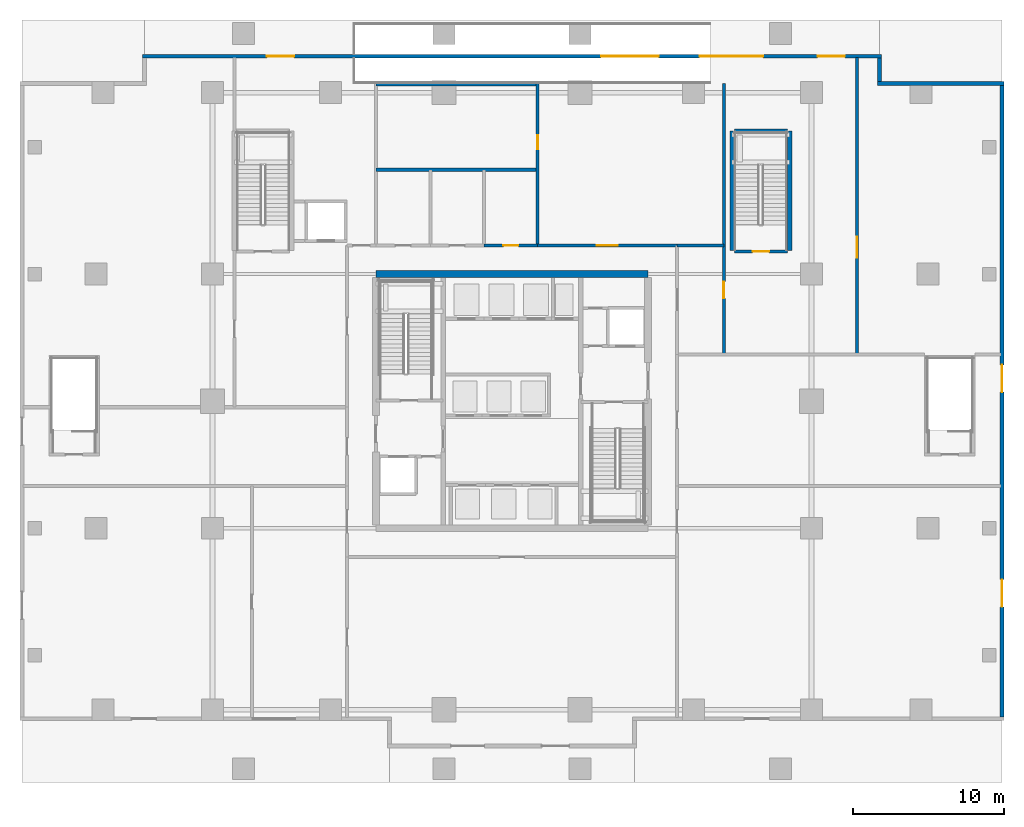
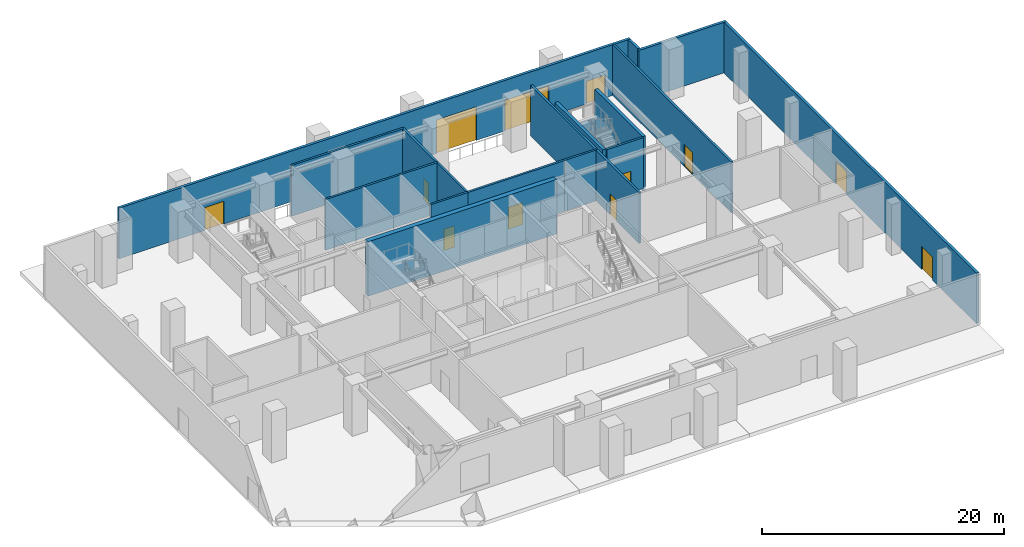
# One storey, part 6 of 15: 17 walls, 12 doors, 12 openings.
"""IFC4 building model written with IfcOpenShell, lengths in metres."""

from ifc_helpers import new_model, si_unit, direction, frame, frame_2d, origin, place, context, subcontext, project, spatial, rectangle, extrude, source, transform, mapped, material, layer, layer_set, type_object, element, fill, save


model = new_model("IFC4")

# Units and contexts
model_context = context("Model", 3, precision=1e-05, world=origin(), true_north=direction((0.0, 1.0)))
body_context = subcontext(model_context, "Body", "Model", "MODEL_VIEW")
ifc_project = project(units=[si_unit("LENGTHUNIT", "METRE"), si_unit("AREAUNIT", "SQUARE_METRE"), si_unit("VOLUMEUNIT", "CUBIC_METRE"), si_unit("PLANEANGLEUNIT", "RADIAN"), si_unit("MASSUNIT", "GRAM", prefix="KILO")], contexts=[model_context])

# Site, building, storey
site_placement = place(None, origin())
site = spatial("IfcSite", under=ifc_project, at=site_placement, CompositionType="ELEMENT")
building_placement = place(site_placement, origin())
building = spatial("IfcBuilding", under=site, at=building_placement, Name="Serunith Strait Residences", CompositionType="ELEMENT")
storey_placement = place(building_placement, origin())
storey = spatial("IfcBuildingStorey", under=building, at=storey_placement, Name="L00", CompositionType="ELEMENT", Elevation=0.0)

# Wall, openings, doors
ifc_material_1 = material(Name="Pale-Silver Aluminium Terracotta-Backed Wall", Category="masonry")
ifc_layer_1 = layer(ifc_material_1, 0.25, Name="Pale-Silver Aluminium Terracotta-Backed Wall")
ifc_layer_set_1 = layer_set([ifc_layer_1], Name="Pale-Silver Aluminium Terracotta-Backed Wall")
wall_type_1 = type_object("IfcWallType", Name="EW-POD-250", PredefinedType="ELEMENTEDWALL", material=ifc_layer_set_1)
wall_1_placement = place(storey_placement, frame((64.800048828125, 4.324951171875, 0.0), z_axis=(0.0, 0.0, 1.0), x_axis=(0.0, 1.0, 0.0)))
wall_1 = element("IfcWall", 1, at=wall_1_placement, inside=storey, type_object=wall_type_1, Name="L00 Podium Envelope Wall 6", PredefinedType="ELEMENTEDWALL", context=body_context, shape_type="SweptSolid", body=[
    extrude(rectangle(XDim=41.75, YDim=0.25, at=frame_2d((20.875, 0.0))), origin(), (0.0, 0.0, 1.0), 5.10498046875),
])
opening_1_placement = place(wall_1_placement, frame((21.47509765625, 0.0, 0.0)))
opening_1 = element("IfcOpeningElement", 2, at=opening_1_placement, cuts=wall_1, Name="Opening EX-02", PredefinedType="OPENING", context=body_context, shape_type="SweptSolid", body=[
    extrude(rectangle(XDim=1.800048828125, YDim=2.300048828125, at=frame_2d((0.89990234375, 1.14990234375))), frame((0.0, 0.135009765625, 0.0), z_axis=(0.0, -1.0, 0.0), x_axis=(1.0, 0.0, 0.0)), (0.0, 0.0, 1.0), 0.27001953125),
])
opening_2_placement = place(wall_1_placement, frame((7.27490234375, 0.0, 0.0)))
opening_2 = element("IfcOpeningElement", 3, at=opening_2_placement, cuts=wall_1, Name="Opening EX-04", PredefinedType="OPENING", context=body_context, shape_type="SweptSolid", body=[
    extrude(rectangle(XDim=1.800048828125, YDim=2.300048828125, at=frame_2d((0.89990234375, 1.14990234375))), frame((0.0, 0.135009765625, 0.0), z_axis=(0.0, -1.0, 0.0), x_axis=(1.0, 0.0, 0.0)), (0.0, 0.0, 1.0), 0.27001953125),
])
ifc_material_2 = material(Name="Stainless Steel Glazed Exit Door", Category="steel")
door_type_1 = type_object("IfcDoorType", Name="ED-EXIT-1800", OperationType="NOTDEFINED", PredefinedType="DOOR", material=ifc_material_2)
shared_shape_1 = source(origin(), body_context, "Body", "SweptSolid", [
    extrude(rectangle(XDim=1.800048828125, YDim=2.300048828125, at=frame_2d((0.89990234375, 1.14990234375))), frame((0.0, 0.02490234375, 0.0), z_axis=(0.0, -1.0, 0.0), x_axis=(1.0, 0.0, 0.0)), (0.0, 0.0, 1.0), 0.050048828125),
])
door_1_placement = place(opening_1_placement, frame((1.800048828125, 0.0, 0.0), z_axis=(0.0, 0.0, 1.0), x_axis=(-1.0, 0.0, 0.0)))
door_1 = element("IfcDoor", 4, at=door_1_placement, inside=storey, type_object=door_type_1, Name="Ground Final Exit Door EX-02 (Exit Passage 2)", OperationType="DOUBLE_DOOR_SINGLE_SWING", OverallHeight=2.300048828125, OverallWidth=1.800048828125, PredefinedType="DOOR", context=body_context, shape_type="MappedRepresentation", body=[
    mapped(shared_shape_1, transform((0.0, 0.0, 0.0), scale=1.0)),
])
fill(opening_1, door_1)
door_2_placement = place(opening_2_placement, frame((1.800048828125, 0.0, 0.0), z_axis=(0.0, 0.0, 1.0), x_axis=(-1.0, 0.0, 0.0)))
door_2 = element("IfcDoor", 5, at=door_2_placement, inside=storey, type_object=door_type_1, Name="Ground Final Exit Door EX-04", OperationType="DOUBLE_DOOR_SINGLE_SWING", OverallHeight=2.300048828125, OverallWidth=1.800048828125, PredefinedType="DOOR", context=body_context, shape_type="MappedRepresentation", body=[
    mapped(shared_shape_1, transform((0.0, 0.0, 0.0), scale=1.0)),
])
fill(opening_2, door_2)

# Walls
wall_2_placement = place(storey_placement, frame((64.925048828125, 46.199951171875, 0.0), z_axis=(0.0, 0.0, 1.0), x_axis=(-1.0, 0.0, 0.0)))
element("IfcWall", 6, at=wall_2_placement, inside=storey, type_object=wall_type_1, Name="L00 Podium Envelope Wall 7", PredefinedType="ELEMENTEDWALL", context=body_context, shape_type="SweptSolid", body=[
    extrude(rectangle(XDim=8.35009765625, YDim=0.25, at=frame_2d((4.175048828125, 0.0))), origin(), (0.0, 0.0, 1.0), 5.10498046875),
])
wall_3_placement = place(storey_placement, frame((56.699951171875, 46.324951171875, 0.0), z_axis=(0.0, 0.0, 1.0), x_axis=(0.0, 1.0, 0.0)))
element("IfcWall", 7, at=wall_3_placement, inside=storey, type_object=wall_type_1, Name="L00 Podium Envelope Wall 8", PredefinedType="ELEMENTEDWALL", context=body_context, shape_type="SweptSolid", body=[
    extrude(rectangle(XDim=1.550048828125, YDim=0.25, at=frame_2d((0.77490234375, 0.0))), origin(), (0.0, 0.0, 1.0), 5.10498046875),
])

# Wall, openings, doors
wall_4_placement = place(storey_placement, frame((56.824951171875, 48.0, 0.0), z_axis=(0.0, 0.0, 1.0), x_axis=(-1.0, 0.0, 0.0)))
wall_4 = element("IfcWall", 8, at=wall_4_placement, inside=storey, type_object=wall_type_1, Name="L00 Podium Envelope Wall 9", PredefinedType="ELEMENTEDWALL", context=body_context, shape_type="SweptSolid", body=[
    extrude(rectangle(XDim=48.849853515625, YDim=0.25, at=frame_2d((24.4248046875, 0.0))), origin(), (0.0, 0.0, 1.0), 5.10498046875),
])
opening_3_placement = place(wall_4_placement, frame((7.824951171875, 0.0, 0.0)))
opening_3 = element("IfcOpeningElement", 9, at=opening_3_placement, cuts=wall_4, Name="Opening VG-01", PredefinedType="OPENING", context=body_context, shape_type="SweptSolid", body=[
    extrude(rectangle(XDim=4.199951171875, YDim=3.10009765625, at=frame_2d((2.10009765625, 1.550048828125))), frame((0.0, 0.135009765625, 0.0), z_axis=(0.0, -1.0, 0.0), x_axis=(1.0, 0.0, 0.0)), (0.0, 0.0, 1.0), 0.27001953125),
])
opening_4_placement = place(wall_4_placement, frame((14.72509765625, 0.0, 0.0)))
opening_4 = element("IfcOpeningElement", 10, at=opening_4_placement, cuts=wall_4, Name="Opening LG-01", PredefinedType="OPENING", context=body_context, shape_type="SweptSolid", body=[
    extrude(rectangle(XDim=3.800048828125, YDim=3.39990234375, at=frame_2d((1.89990234375, 1.699951171875))), frame((0.0, 0.135009765625, 0.0), z_axis=(0.0, -1.0, 0.0), x_axis=(1.0, 0.0, 0.0)), (0.0, 0.0, 1.0), 0.27001953125),
])
opening_5_placement = place(wall_4_placement, frame((38.824951171875, 0.0, 0.0)))
opening_5 = element("IfcOpeningElement", 11, at=opening_5_placement, cuts=wall_4, Name="Opening EX-06", PredefinedType="OPENING", context=body_context, shape_type="SweptSolid", body=[
    extrude(rectangle(XDim=1.800048828125, YDim=2.300048828125, at=frame_2d((0.89990234375, 1.14990234375))), frame((0.0, 0.135009765625, 0.0), z_axis=(0.0, -1.0, 0.0), x_axis=(1.0, 0.0, 0.0)), (0.0, 0.0, 1.0), 0.27001953125),
])
opening_6_placement = place(wall_4_placement, frame((2.425048828125, 0.0, 0.0)))
opening_6 = element("IfcOpeningElement", 12, at=opening_6_placement, cuts=wall_4, Name="Opening EX-07", PredefinedType="OPENING", context=body_context, shape_type="SweptSolid", body=[
    extrude(rectangle(XDim=1.800048828125, YDim=2.300048828125, at=frame_2d((0.89990234375, 1.14990234375))), frame((0.0, 0.135009765625, 0.0), z_axis=(0.0, -1.0, 0.0), x_axis=(1.0, 0.0, 0.0)), (0.0, 0.0, 1.0), 0.27001953125),
])
door_3_placement = place(opening_5_placement, frame((1.800048828125, 0.0, 0.0), z_axis=(0.0, 0.0, 1.0), x_axis=(-1.0, 0.0, 0.0)))
door_3 = element("IfcDoor", 13, at=door_3_placement, inside=storey, type_object=door_type_1, Name="Ground Final Exit Door EX-06 (Exit Passage 3)", OperationType="DOUBLE_DOOR_SINGLE_SWING", OverallHeight=2.300048828125, OverallWidth=1.800048828125, PredefinedType="DOOR", context=body_context, shape_type="MappedRepresentation", body=[
    mapped(shared_shape_1, transform((0.0, 0.0, 0.0), scale=1.0)),
])
fill(opening_5, door_3)
door_4_placement = place(opening_6_placement, frame((1.800048828125, 0.0, 0.0), z_axis=(0.0, 0.0, 1.0), x_axis=(-1.0, 0.0, 0.0)))
door_4 = element("IfcDoor", 14, at=door_4_placement, inside=storey, type_object=door_type_1, Name="Ground Final Exit Door EX-07 (Exit Passage 4)", OperationType="DOUBLE_DOOR_SINGLE_SWING", OverallHeight=2.300048828125, OverallWidth=1.800048828125, PredefinedType="DOOR", context=body_context, shape_type="MappedRepresentation", body=[
    mapped(shared_shape_1, transform((0.0, 0.0, 0.0), scale=1.0)),
])
fill(opening_6, door_4)
ifc_material_3 = material(Name="Perforated Anodised Aluminium Roller Shutter", Category="aluminium")
door_type_2 = type_object("IfcDoorType", Name="GATE-RAMP-4200", OperationType="ROLLINGUP", PredefinedType="GATE", material=ifc_material_3)
shared_shape_2 = source(origin(), body_context, "Body", "SweptSolid", [
    extrude(rectangle(XDim=4.199951171875, YDim=3.10009765625, at=frame_2d((2.10009765625, 1.550048828125))), frame((0.0, 0.02490234375, 0.0), z_axis=(0.0, -1.0, 0.0), x_axis=(1.0, 0.0, 0.0)), (0.0, 0.0, 1.0), 0.050048828125),
])
door_5_placement = place(opening_3_placement, origin())
door_5 = element("IfcDoor", 15, at=door_5_placement, inside=storey, type_object=door_type_2, Name="Car Park Vehicle Ramp Exit Roller Shutter Gate VG-01", OperationType="ROLLINGUP", OverallHeight=3.10009765625, OverallWidth=4.199951171875, PredefinedType="GATE", context=body_context, shape_type="MappedRepresentation", body=[
    mapped(shared_shape_2, transform((0.0, 0.0, 0.0), scale=1.0)),
])
fill(opening_3, door_5)
ifc_material_4 = material(Name="Galvanised Steel Service Bay Roller Shutter", Category="steel")
door_type_3 = type_object("IfcDoorType", Name="GATE-LOAD-3800", OperationType="ROLLINGUP", PredefinedType="GATE", material=ifc_material_4)
shared_shape_3 = source(origin(), body_context, "Body", "SweptSolid", [
    extrude(rectangle(XDim=3.800048828125, YDim=3.39990234375, at=frame_2d((1.89990234375, 1.699951171875))), frame((0.0, 0.02490234375, 0.0), z_axis=(0.0, -1.0, 0.0), x_axis=(1.0, 0.0, 0.0)), (0.0, 0.0, 1.0), 0.050048828125),
])
door_6_placement = place(opening_4_placement, origin())
door_6 = element("IfcDoor", 16, at=door_6_placement, inside=storey, type_object=door_type_3, Name="Loading Dock Service Roller Shutter Gate LG-01", OperationType="ROLLINGUP", OverallHeight=3.39990234375, OverallWidth=3.800048828125, PredefinedType="GATE", context=body_context, shape_type="MappedRepresentation", body=[
    mapped(shared_shape_3, transform((0.0, 0.0, 0.0), scale=1.0)),
])
fill(opening_4, door_6)

# Wall
ifc_material_5 = material(Name="Reinforced masonry fire compartment wall", Category="masonry")
ifc_layer_2 = layer(ifc_material_5, 0.199951171875, Name="Reinforced masonry fire compartment wall")
ifc_layer_set_2 = layer_set([ifc_layer_2], Name="Reinforced masonry fire compartment wall")
wall_type_2 = type_object("IfcWallType", Name="IW-PASS-200", PredefinedType="STANDARD", material=ifc_layer_set_2)
wall_5_placement = place(storey_placement, frame((43.300048828125, 35.5, 0.0), z_axis=(0.0, 0.0, 1.0), x_axis=(1.0, 0.0, 0.0)))
element("IfcWall", 17, at=wall_5_placement, inside=storey, type_object=wall_type_2, Name="L00 Partition Wall 035", PredefinedType="STANDARD", context=body_context, shape_type="SweptSolid", body=[
    extrude(rectangle(XDim=3.099853515625, YDim=0.199951171875, at=frame_2d((1.5498046875, 0.0))), origin(), (0.0, 0.0, 1.0), 5.1201171875),
])

# Wall, opening, door
wall_6_placement = place(storey_placement, frame((46.39990234375, 28.300048828125, 0.0), z_axis=(0.0, 0.0, 1.0), x_axis=(0.0, 1.0, 0.0)))
wall_6 = element("IfcWall", 18, at=wall_6_placement, inside=storey, type_object=wall_type_2, Name="L00 Partition Wall 036", PredefinedType="STANDARD", context=body_context, shape_type="SweptSolid", body=[
    extrude(rectangle(XDim=17.89990234375, YDim=0.199951171875, at=frame_2d((8.949951171875, 0.0))), origin(), (0.0, 0.0, 1.0), 5.1201171875),
])
opening_7_placement = place(wall_6_placement, frame((3.696044921875, 0.0, 0.0)))
opening_7 = element("IfcOpeningElement", 19, at=opening_7_placement, cuts=wall_6, Name="Opening FD-1100", PredefinedType="OPENING", context=body_context, shape_type="SweptSolid", body=[
    extrude(rectangle(XDim=1.10009765625, YDim=2.14990234375, at=frame_2d((0.550048828125, 1.074951171875))), frame((0.0, 0.10986328125, 0.0), z_axis=(0.0, -1.0, 0.0), x_axis=(1.0, 0.0, 0.0)), (0.0, 0.0, 1.0), 0.219970703125),
])
ifc_material_6 = material(Name="Galvanised steel fire door leaf", Category="steel")
door_type_4 = type_object("IfcDoorType", Name="FD-STAIR-1100", OperationType="NOTDEFINED", PredefinedType="DOOR", material=ifc_material_6)
shared_shape_4 = source(origin(), body_context, "Body", "SweptSolid", [
    extrude(rectangle(XDim=1.10009765625, YDim=2.14990234375, at=frame_2d((0.550048828125, 1.074951171875))), frame((0.0, 0.02490234375, 0.0), z_axis=(0.0, -1.0, 0.0), x_axis=(1.0, 0.0, 0.0)), (0.0, 0.0, 1.0), 0.050048828125),
])
door_7_placement = place(opening_7_placement, origin())
door_7 = element("IfcDoor", 20, at=door_7_placement, inside=storey, type_object=door_type_4, Name="Exit Passage 4 Access Door", OperationType="SINGLE_SWING_LEFT", OverallHeight=2.14990234375, OverallWidth=1.10009765625, PredefinedType="DOOR", context=body_context, shape_type="MappedRepresentation", body=[
    mapped(shared_shape_4, transform((0.0, 0.0, 0.0), scale=1.0)),
])
fill(opening_7, door_7)

wall_7_placement = place(storey_placement, frame((55.199951171875, 28.300048828125, 0.0), z_axis=(0.0, 0.0, 1.0), x_axis=(0.0, 1.0, 0.0)))
wall_7 = element("IfcWall", 21, at=wall_7_placement, inside=storey, type_object=wall_type_2, Name="L00 Partition Wall 037", PredefinedType="STANDARD", context=body_context, shape_type="SweptSolid", body=[
    extrude(rectangle(XDim=19.617919921875, YDim=0.199951171875, at=frame_2d((9.80908203125, 0.0))), origin(), (0.0, 0.0, 1.0), 5.1201171875),
])
opening_8_placement = place(wall_7_placement, frame((6.3759765625, 0.0, 0.0)))
opening_8 = element("IfcOpeningElement", 22, at=opening_8_placement, cuts=wall_7, Name="Opening FD-1400", PredefinedType="OPENING", context=body_context, shape_type="SweptSolid", body=[
    extrude(rectangle(XDim=1.39990234375, YDim=2.199951171875, at=frame_2d((0.699951171875, 1.10009765625))), frame((0.0, 0.10986328125, 0.0), z_axis=(0.0, -1.0, 0.0), x_axis=(1.0, 0.0, 0.0)), (0.0, 0.0, 1.0), 0.219970703125),
])
ifc_material_7 = material(Name="Acoustic double-skin steel plant door", Category="steel")
door_type_5 = type_object("IfcDoorType", Name="FD-PLANT-1400", OperationType="DOUBLE_DOOR_SINGLE_SWING", PredefinedType="DOOR", material=ifc_material_7)
shared_shape_5 = source(origin(), body_context, "Body", "SweptSolid", [
    extrude(rectangle(XDim=1.39990234375, YDim=2.199951171875, at=frame_2d((0.699951171875, 1.10009765625))), frame((0.0, 0.02490234375, 0.0), z_axis=(0.0, -1.0, 0.0), x_axis=(1.0, 0.0, 0.0)), (0.0, 0.0, 1.0), 0.050048828125),
])
door_8_placement = place(opening_8_placement, origin())
door_8 = element("IfcDoor", 23, at=door_8_placement, inside=storey, type_object=door_type_5, Name="Substation Access Fire Door", OperationType="DOUBLE_DOOR_SINGLE_SWING", OverallHeight=2.199951171875, OverallWidth=1.39990234375, PredefinedType="DOOR", context=body_context, shape_type="MappedRepresentation", body=[
    mapped(shared_shape_5, transform((0.0, 0.0, 0.0), scale=1.0)),
])
fill(opening_8, door_8)

wall_8_placement = place(storey_placement, frame((30.552001953125, 35.5, 0.0), z_axis=(0.0, 0.0, 1.0), x_axis=(1.0, 0.0, 0.0)))
wall_8 = element("IfcWall", 24, at=wall_8_placement, inside=storey, type_object=wall_type_2, Name="L00 Partition Wall 040", PredefinedType="STANDARD", context=body_context, shape_type="SweptSolid", body=[
    extrude(rectangle(XDim=3.548095703125, YDim=0.199951171875, at=frame_2d((1.77392578125, 0.0))), origin(), (0.0, 0.0, 1.0), 5.1201171875),
])
opening_9_placement = place(wall_8_placement, frame((1.27392578125, 0.0, 0.0)))
opening_9 = element("IfcOpeningElement", 25, at=opening_9_placement, cuts=wall_8, Name="Opening D-APT1000", PredefinedType="OPENING", context=body_context, shape_type="SweptSolid", body=[
    extrude(rectangle(XDim=1.0, YDim=2.14990234375, at=frame_2d((0.5, 1.074951171875))), frame((0.0, 0.10986328125, 0.0), z_axis=(0.0, -1.0, 0.0), x_axis=(1.0, 0.0, 0.0)), (0.0, 0.0, 1.0), 0.219970703125),
])
ifc_material_8 = material(Name="Solid timber engineered fire door", Category="wood")
door_type_6 = type_object("IfcDoorType", Name="ID-APT-1000", OperationType="NOTDEFINED", PredefinedType="DOOR", material=ifc_material_8)
shared_shape_6 = source(origin(), body_context, "Body", "SweptSolid", [
    extrude(rectangle(XDim=1.0, YDim=2.14990234375, at=frame_2d((0.5, 1.074951171875))), frame((0.0, 0.02490234375, 0.0), z_axis=(0.0, -1.0, 0.0), x_axis=(1.0, 0.0, 0.0)), (0.0, 0.0, 1.0), 0.050048828125),
])
door_9_placement = place(opening_9_placement, origin())
door_9 = element("IfcDoor", 26, at=door_9_placement, inside=storey, type_object=door_type_6, Name="Ground Female WC Door", OperationType="SINGLE_SWING_LEFT", OverallHeight=2.14990234375, OverallWidth=1.0, PredefinedType="DOOR", context=body_context, shape_type="MappedRepresentation", body=[
    mapped(shared_shape_6, transform((0.0, 0.0, 0.0), scale=1.0)),
])
fill(opening_9, door_9)

wall_9_placement = place(storey_placement, frame((34.10205078125, 35.5, 0.0), z_axis=(0.0, 0.0, 1.0), x_axis=(1.0, 0.0, 0.0)))
wall_9 = element("IfcWall", 27, at=wall_9_placement, inside=storey, type_object=wall_type_2, Name="L00 Partition Wall 041", PredefinedType="STANDARD", context=body_context, shape_type="SweptSolid", body=[
    extrude(rectangle(XDim=9.196044921875, YDim=0.199951171875, at=frame_2d((4.59814453125, 0.0))), origin(), (0.0, 0.0, 1.0), 5.1201171875),
])
opening_10_placement = place(wall_9_placement, frame((3.89794921875, 0.0, 0.0)))
opening_10 = element("IfcOpeningElement", 28, at=opening_10_placement, cuts=wall_9, Name="Opening FD-1400", PredefinedType="OPENING", context=body_context, shape_type="SweptSolid", body=[
    extrude(rectangle(XDim=1.39990234375, YDim=2.199951171875, at=frame_2d((0.699951171875, 1.10009765625))), frame((0.0, 0.10986328125, 0.0), z_axis=(0.0, -1.0, 0.0), x_axis=(1.0, 0.0, 0.0)), (0.0, 0.0, 1.0), 0.219970703125),
])
door_10_placement = place(opening_10_placement, origin())
door_10 = element("IfcDoor", 29, at=door_10_placement, inside=storey, type_object=door_type_5, Name="Service Delivery Bay Door", OperationType="DOUBLE_DOOR_SINGLE_SWING", OverallHeight=2.199951171875, OverallWidth=1.39990234375, PredefinedType="DOOR", context=body_context, shape_type="MappedRepresentation", body=[
    mapped(shared_shape_5, transform((0.0, 0.0, 0.0), scale=1.0)),
])
fill(opening_10, door_10)

wall_10_placement = place(storey_placement, frame((34.10009765625, 35.5, 0.0), z_axis=(0.0, 0.0, 1.0), x_axis=(0.0, 1.0, 0.0)))
wall_10 = element("IfcWall", 30, at=wall_10_placement, inside=storey, type_object=wall_type_2, Name="L00 Partition Wall 044", PredefinedType="STANDARD", context=body_context, shape_type="SweptSolid", body=[
    extrude(rectangle(XDim=10.699951171875, YDim=0.199951171875, at=frame_2d((5.35009765625, 0.0))), origin(), (0.0, 0.0, 1.0), 5.1201171875),
])
opening_11_placement = place(wall_10_placement, frame((6.3701171875, 0.0, 0.0)))
opening_11 = element("IfcOpeningElement", 31, at=opening_11_placement, cuts=wall_10, Name="Opening FD-900", PredefinedType="OPENING", context=body_context, shape_type="SweptSolid", body=[
    extrude(rectangle(XDim=0.89990234375, YDim=2.10009765625, at=frame_2d((0.449951171875, 1.050048828125))), frame((0.0, 0.10986328125, 0.0), z_axis=(0.0, -1.0, 0.0), x_axis=(1.0, 0.0, 0.0)), (0.0, 0.0, 1.0), 0.219970703125),
])
ifc_material_9 = material(Name="Powder-coated steel riser door", Category="steel")
door_type_7 = type_object("IfcDoorType", Name="FD-BOH-900", OperationType="NOTDEFINED", PredefinedType="DOOR", material=ifc_material_9)
shared_shape_7 = source(origin(), body_context, "Body", "SweptSolid", [
    extrude(rectangle(XDim=0.89990234375, YDim=2.10009765625, at=frame_2d((0.449951171875, 1.050048828125))), frame((0.0, 0.02490234375, 0.0), z_axis=(0.0, -1.0, 0.0), x_axis=(1.0, 0.0, 0.0)), (0.0, 0.0, 1.0), 0.050048828125),
])
door_11_placement = place(opening_11_placement, origin())
door_11 = element("IfcDoor", 32, at=door_11_placement, inside=storey, type_object=door_type_7, Name="Bicycle Store Access Door", OperationType="SINGLE_SWING_LEFT", OverallHeight=2.10009765625, OverallWidth=0.89990234375, PredefinedType="DOOR", context=body_context, shape_type="MappedRepresentation", body=[
    mapped(shared_shape_7, transform((0.0, 0.0, 0.0), scale=1.0)),
])
fill(opening_11, door_11)

# Walls
for number, where, z_axis, x_axis, name in (
    (33, (23.39990234375, 40.5, 0.0), (0.0, 0.0, 1.0), (1.0, 0.0, 0.0), "L00 Partition Wall 045"),
    (34, (23.39990234375, 46.14990234375, 0.0), (0.0, 0.0, 1.0), (1.0, 0.0, 0.0), "L00 Partition Wall 046"),
):
    element("IfcWall", number, at=place(storey_placement, frame(where, z_axis=z_axis, x_axis=x_axis)), inside=storey, type_object=wall_type_2, Name=name, PredefinedType="STANDARD", context=body_context, shape_type="SweptSolid", body=[
        extrude(rectangle(XDim=10.7001953125, YDim=0.199951171875, at=frame_2d((5.35009765625, 0.0))), origin(), (0.0, 0.0, 1.0), 5.1201171875),
    ])

# Wall, opening, door
ifc_material_10 = material(Name="Autoclaved aerated concrete blockwork", Category="masonry")
ifc_layer_3 = layer(ifc_material_10, 0.199951171875, Name="Autoclaved aerated concrete blockwork")
ifc_layer_set_3 = layer_set([ifc_layer_3], Name="Autoclaved aerated concrete blockwork")
wall_type_3 = type_object("IfcWallType", Name="IW-SHAFT-200", PredefinedType="STANDARD", material=ifc_layer_set_3)
wall_11_placement = place(storey_placement, frame((47.10009765625, 35.10009765625, 0.0), z_axis=(0.0, 0.0, 1.0), x_axis=(1.0, 0.0, 0.0)))
wall_11 = element("IfcWall", 35, at=wall_11_placement, inside=storey, type_object=wall_type_3, Name="L00 ST-4 South Shaft Wall", PredefinedType="STANDARD", context=body_context, shape_type="SweptSolid", body=[
    extrude(rectangle(XDim=3.5, YDim=0.199951171875, at=frame_2d((1.75, 0.0))), origin(), (0.0, 0.0, 1.0), 5.1201171875),
])
opening_12_placement = place(wall_11_placement, frame((1.199951171875, 0.0, 0.0)))
opening_12 = element("IfcOpeningElement", 36, at=opening_12_placement, cuts=wall_11, Name="Opening FD-1100", PredefinedType="OPENING", context=body_context, shape_type="SweptSolid", body=[
    extrude(rectangle(XDim=1.10009765625, YDim=2.14990234375, at=frame_2d((0.550048828125, 1.074951171875))), frame((0.0, 0.10986328125, 0.0), z_axis=(0.0, -1.0, 0.0), x_axis=(1.0, 0.0, 0.0)), (0.0, 0.0, 1.0), 0.219970703125),
])
door_12_placement = place(opening_12_placement, origin())
door_12 = element("IfcDoor", 37, at=door_12_placement, inside=storey, type_object=door_type_4, Name="L00 ST-4 Escape Stair Door", OperationType="SINGLE_SWING_LEFT", OverallHeight=2.14990234375, OverallWidth=1.10009765625, PredefinedType="DOOR", context=body_context, shape_type="MappedRepresentation", body=[
    mapped(shared_shape_4, transform((0.0, 0.0, 0.0), scale=1.0)),
])
fill(opening_12, door_12)

# Walls
wall_12_placement = place(storey_placement, frame((47.10009765625, 43.10009765625, 0.0), z_axis=(0.0, 0.0, 1.0), x_axis=(1.0, 0.0, 0.0)))
element("IfcWall", 38, at=wall_12_placement, inside=storey, type_object=wall_type_3, Name="L00 ST-4 North Shaft Wall", PredefinedType="STANDARD", context=body_context, shape_type="SweptSolid", body=[
    extrude(rectangle(XDim=3.5, YDim=0.199951171875, at=frame_2d((1.75, 0.0))), origin(), (0.0, 0.0, 1.0), 2.235107421875),
])
ifc_material_11 = material(Name="Concrete C60/75", Category="concrete")
ifc_layer_4 = layer(ifc_material_11, 0.300048828125, Name="Concrete C60/75")
ifc_layer_set_4 = layer_set([ifc_layer_4], Name="Concrete C60/75")
wall_type_4 = type_object("IfcWallType", Name="SW-300-C60", PredefinedType="SHEAR", material=ifc_layer_set_4)
for number, where, z_axis, x_axis, name in (
    (39, (46.949951171875, 35.14990234375, -0.3798828125), (0.0, 0.0, 1.0), (0.0, 1.0, 0.0), "L00 ST-4 West Structural Shaft Wall"),
    (40, (50.75, 35.14990234375, -0.3798828125), (0.0, 0.0, 1.0), (0.0, 1.0, 0.0), "L00 ST-4 East Structural Shaft Wall"),
):
    element("IfcWall", number, at=place(storey_placement, frame(where, z_axis=z_axis, x_axis=x_axis)), inside=storey, type_object=wall_type_4, Name=name, PredefinedType="SHEAR", context=body_context, shape_type="SweptSolid", body=[
        extrude(rectangle(XDim=7.900146484375, YDim=0.300048828125, at=frame_2d((3.9501953125, 0.0))), origin(), (0.0, 0.0, 1.0), 5.497802734375),
    ])
ifc_material_12 = material(Name="Concrete C80/95", Category="concrete")
ifc_layer_5 = layer(ifc_material_12, 0.449951171875, Name="Concrete C80/95")
ifc_layer_set_5 = layer_set([ifc_layer_5], Name="Concrete C80/95")
wall_type_5 = type_object("IfcWallType", Name="SW-450-C80", PredefinedType="SHEAR", material=ifc_layer_set_5)
wall_13_placement = place(storey_placement, frame((41.39990234375, 33.60009765625, -0.3798828125), z_axis=(0.0, 0.0, 1.0), x_axis=(-1.0, 0.0, 0.0)))
element("IfcWall", 41, at=wall_13_placement, inside=storey, type_object=wall_type_5, Name="L00 Core North Shear Wall", PredefinedType="SHEAR", context=body_context, shape_type="SweptSolid", body=[
    extrude(rectangle(XDim=18.0, YDim=0.449951171875, at=frame_2d((9.0, 0.0))), origin(), (0.0, 0.0, 1.0), 5.497802734375),
])

save(model, "model.ifc")
